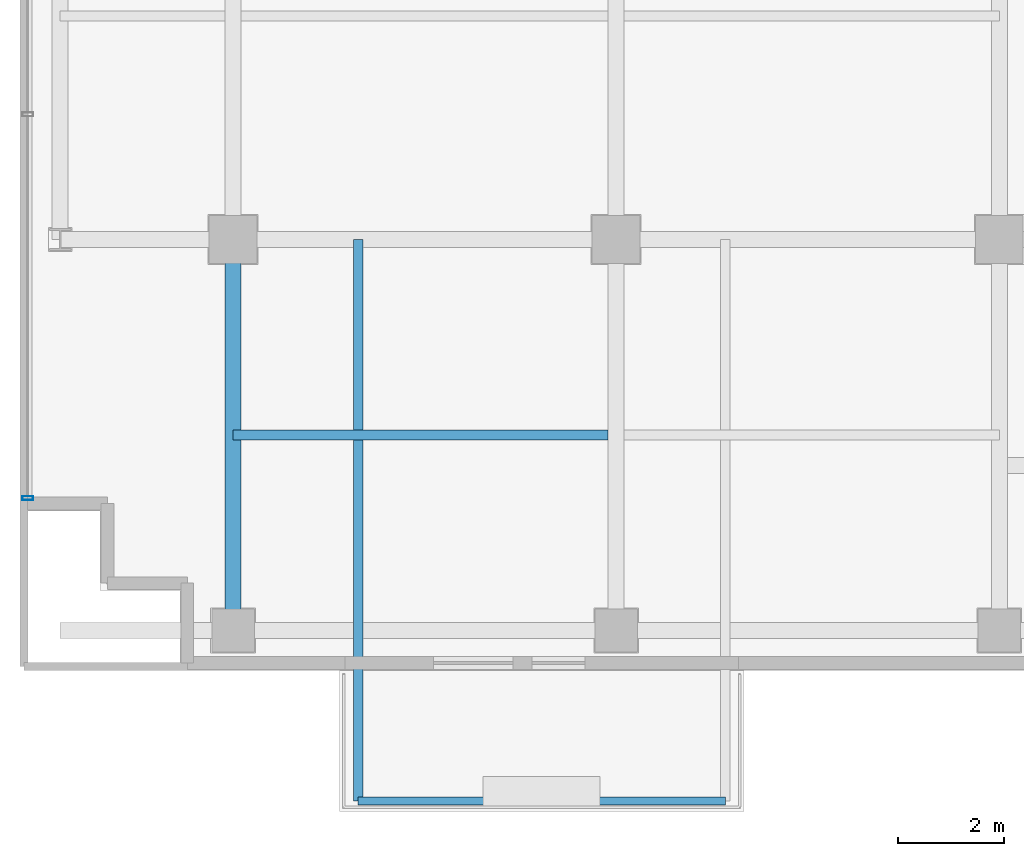
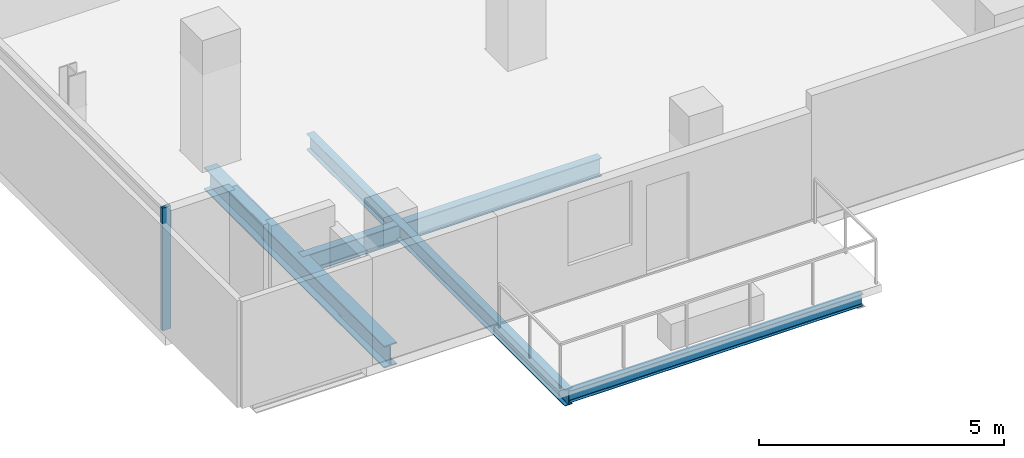
# One storey, part 2 of 25: 4 beams, 1 member, 1 element without a shape of its own.
"""IFC4 building model written with IfcOpenShell, lengths in metres."""

from ifc_helpers import new_model, si_unit, direction, frame, origin, origin_2d, place, context, subcontext, project, spatial, hollow_rectangle, i_section, extrude, source, transform, mapped, material, layer, layer_set, material_profile, profile_set, type_object, element, aggregate, save


model = new_model("IFC4")

# Units and contexts
model_context = context("Model", 3, precision=1e-05, world=origin(), true_north=direction((0.0, 1.0)))
body_context = subcontext(model_context, "Body", "Model", "MODEL_VIEW")
ifc_project = project(units=[si_unit("LENGTHUNIT", "METRE"), si_unit("AREAUNIT", "SQUARE_METRE"), si_unit("VOLUMEUNIT", "CUBIC_METRE"), si_unit("PLANEANGLEUNIT", "RADIAN"), si_unit("MASSUNIT", "GRAM", prefix="KILO")], contexts=[model_context])

# Site, building, storey
site_placement = place(None, origin())
site = spatial("IfcSite", under=ifc_project, at=site_placement, CompositionType="ELEMENT")
building_placement = place(site_placement, origin())
building = spatial("IfcBuilding", under=site, at=building_placement, Name="Zarnakvel Exchange Tower", CompositionType="ELEMENT")
storey_placement = place(building_placement, frame((0.0, 0.0, 126.39990234375)))
storey = spatial("IfcBuildingStorey", under=building, at=storey_placement, Name="L35", CompositionType="ELEMENT", Elevation=126.39990234375)

# Beams
ifc_material_1 = material(Name="Steel S355", Category="steel")
ifc_material_profile_1 = material_profile(ifc_material_1, i_section(OverallWidth=0.18994140625, OverallDepth=0.449951171875, WebThickness=0.009521484375, FlangeThickness=0.0146484375, FilletRadius=0.02099609375, at=origin_2d()))
ifc_profile_set_1 = profile_set([ifc_material_profile_1], Name="Steel S355")
beam_type_1 = type_object("IfcBeamType", Name="B-05", PredefinedType="JOIST", material=ifc_profile_set_1)
beam_1_placement = place(storey_placement, frame((-21.60009765625, -13.27490234375, -0.449951171875), z_axis=(1.0, 0.0, 0.0), x_axis=(0.0, 1.0, 0.0)))
element("IfcBeam", 1, at=beam_1_placement, inside=storey, type_object=beam_type_1, Name="L35 Composite Floor Secondary Joist", PredefinedType="JOIST", context=body_context, shape_type="SweptSolid", body=[
    extrude(i_section(OverallWidth=0.18994140625, OverallDepth=0.449951171875, WebThickness=0.009521484375, FlangeThickness=0.0146484375, FilletRadius=0.02099609375, at=origin_2d()), origin(), (0.0, 0.0, 1.0), 7.050048828125),
])
ifc_material_profile_2 = material_profile(ifc_material_1, i_section(OverallWidth=0.179931640625, OverallDepth=0.39990234375, WebThickness=0.008544921875, FlangeThickness=0.013427734375, FilletRadius=0.02099609375, at=origin_2d()))
ifc_profile_set_2 = profile_set([ifc_material_profile_2], Name="Steel S355")
beam_type_2 = type_object("IfcBeamType", Name="B-06", PredefinedType="JOIST", material=ifc_profile_set_2)
beam_2_placement = place(storey_placement, frame((-19.25, -9.60009765625, -0.4248046875), z_axis=(0.0, -1.0, 0.0), x_axis=(1.0, 0.0, 0.0)))
element("IfcBeam", 2, at=beam_2_placement, inside=storey, type_object=beam_type_2, Name="L35 Continuous Back-Spanned Balcony Beam W", PredefinedType="JOIST", context=body_context, shape_type="SweptSolid", body=[
    extrude(i_section(OverallWidth=0.179931640625, OverallDepth=0.39990234375, WebThickness=0.008544921875, FlangeThickness=0.013427734375, FilletRadius=0.02099609375, at=origin_2d()), origin(), (0.0, 0.0, 1.0), 10.5498046875),
])
ifc_material_profile_3 = material_profile(ifc_material_1, i_section(OverallWidth=0.14990234375, OverallDepth=0.300048828125, WebThickness=0.007080078125, FlangeThickness=0.0107421875, FilletRadius=0.014892578125, at=origin_2d()))
ifc_profile_set_3 = profile_set([ifc_material_profile_3], Name="Steel S355")
beam_type_3 = type_object("IfcBeamType", Name="B-08", PredefinedType="JOIST", material=ifc_profile_set_3)
beam_3_placement = place(storey_placement, frame((-19.25, -20.14990234375, -0.375), z_axis=(1.0, 0.0, 0.0), x_axis=(0.0, 1.0, 0.0)))
element("IfcBeam", 3, at=beam_3_placement, inside=storey, type_object=beam_type_3, Name="L35 Balcony Edge Beam", PredefinedType="JOIST", context=body_context, shape_type="SweptSolid", body=[
    extrude(i_section(OverallWidth=0.14990234375, OverallDepth=0.300048828125, WebThickness=0.007080078125, FlangeThickness=0.0107421875, FilletRadius=0.014892578125, at=origin_2d()), origin(), (0.0, 0.0, 1.0), 6.89990234375),
])
ifc_material_profile_4 = material_profile(ifc_material_1, i_section(OverallWidth=0.300048828125, OverallDepth=0.550048828125, WebThickness=0.014892578125, FlangeThickness=0.029052734375, FilletRadius=0.027099609375, at=origin_2d()))
ifc_profile_set_4 = profile_set([ifc_material_profile_4], Name="Steel S355")
beam_type_4 = type_object("IfcBeamType", Name="G-05", PredefinedType="BEAM", material=ifc_profile_set_4)
beam_4_placement = place(storey_placement, frame((-21.60009765625, -16.949951171875, -0.5), z_axis=(0.0, 1.0, 0.0), x_axis=(-1.0, 0.0, 0.0)))
element("IfcBeam", 4, at=beam_4_placement, inside=storey, type_object=beam_type_4, Name="L35 Tower N-S Frame Beam", PredefinedType="BEAM", context=body_context, shape_type="SweptSolid", body=[
    extrude(i_section(OverallWidth=0.300048828125, OverallDepth=0.550048828125, WebThickness=0.014892578125, FlangeThickness=0.029052734375, FilletRadius=0.027099609375, at=origin_2d()), origin(), (0.0, 0.0, 1.0), 7.349853515625),
])

# Curtain wall, member
ifc_material_2 = material(Name="Architectural Bronze Anodised Aluminium", Category="aluminium")
ifc_layer = layer(ifc_material_2, 0.199951171875)
ifc_layer_set = layer_set([ifc_layer], Name="Architectural Bronze Anodised Aluminium")
curtain_wall_type = type_object("IfcCurtainWallType", Name="CW-04", PredefinedType="NOTDEFINED", material=ifc_layer_set)
curtain_wall_placement = place(storey_placement, origin())
curtain_wall = element("IfcCurtainWall", 5, at=curtain_wall_placement, inside=storey, type_object=curtain_wall_type, Name="L35 Curtain Wall CW-L35-W1 (CW-04)", PredefinedType="NOTDEFINED")
ifc_material_profile_5 = material_profile(ifc_material_2, hollow_rectangle(XDim=0.199951171875, YDim=0.074951171875, WallThickness=0.0048828125, at=origin_2d()))
ifc_profile_set_5 = profile_set([ifc_material_profile_5], Name="Architectural Bronze Anodised Aluminium")
member_type = type_object("IfcMemberType", Name="CWM-04", PredefinedType="MULLION", material=ifc_profile_set_5)
shared_shape = source(origin(), body_context, "Body", "SweptSolid", [
    extrude(hollow_rectangle(XDim=0.199951171875, YDim=0.074951171875, WallThickness=0.0048828125, at=origin_2d()), origin(), (0.0, 0.0, 1.0), 3.05517578125),
])
member_placement = place(storey_placement, frame((-25.4599609375, -14.46240234375, 0.0), z_axis=(0.0, 0.0, 1.0), x_axis=(-1.0, 0.0, 0.0)))
member = element("IfcMember", 6, at=member_placement, type_object=member_type, Name="CW-04 mullion 1", PredefinedType="MULLION", context=body_context, shape_type="MappedRepresentation", body=[
    mapped(shared_shape, transform((0.0, 0.0, 0.0), x_axis=(1.0, 0.0, 0.0), y_axis=(0.0, 1.0, 0.0), z_axis=(0.0, 0.0, 1.0), scale=1.0)),
])
aggregate(curtain_wall, [member])

save(model, "model.ifc")
